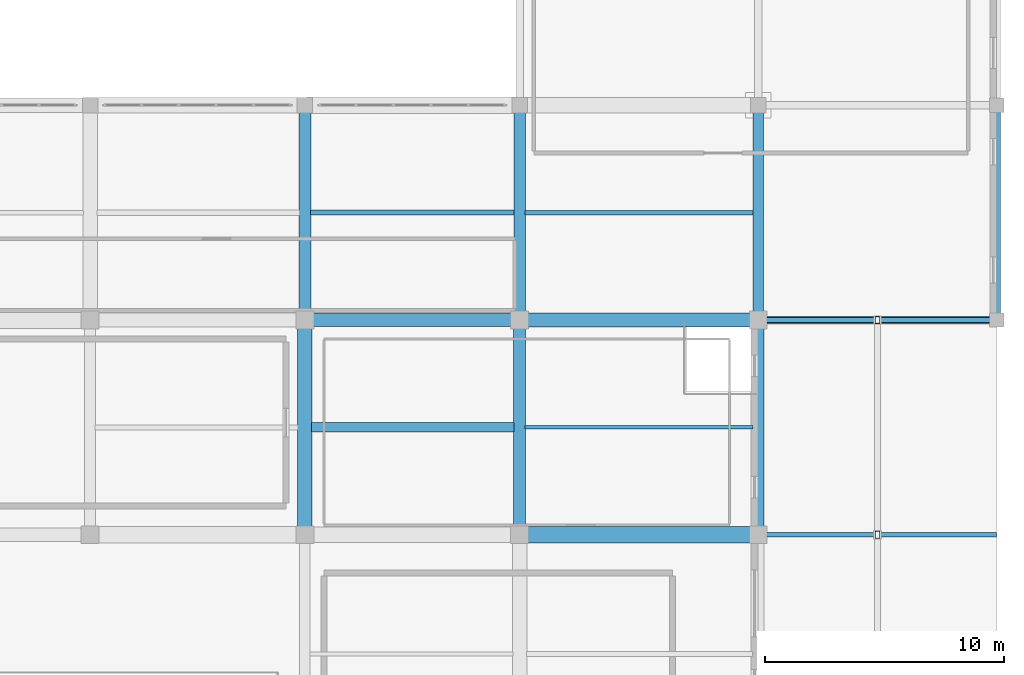
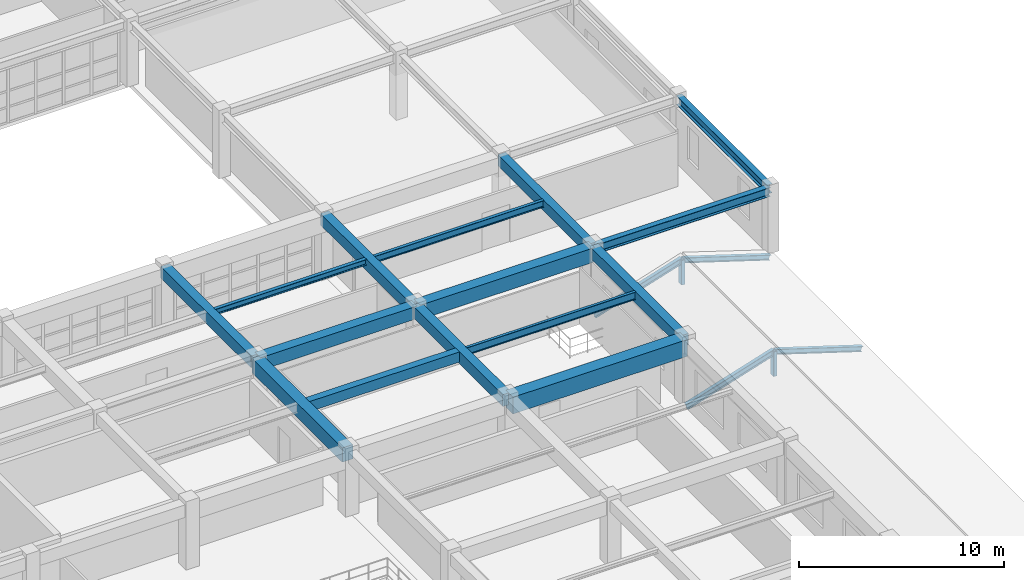
# One storey, part 83 of 130: 15 beams, 6 members.
"""IFC4 building model written with IfcOpenShell, lengths in metres."""

from ifc_helpers import new_model, si_unit, direction, frame, origin, origin_2d, place, context, subcontext, project, spatial, rectangle, hollow_rectangle, i_section, extrude, material, material_profile, profile_set, type_object, element, save


model = new_model("IFC4")

# Units and contexts
model_context = context("Model", 3, precision=1e-05, world=origin(), true_north=direction((0.0, 1.0)))
body_context = subcontext(model_context, "Body", "Model", "MODEL_VIEW")
ifc_project = project(units=[si_unit("LENGTHUNIT", "METRE"), si_unit("AREAUNIT", "SQUARE_METRE"), si_unit("VOLUMEUNIT", "CUBIC_METRE"), si_unit("PLANEANGLEUNIT", "RADIAN"), si_unit("MASSUNIT", "GRAM", prefix="KILO")], contexts=[model_context])

# Site, building, storey
site_placement = place(None, origin())
site = spatial("IfcSite", under=ifc_project, at=site_placement, CompositionType="ELEMENT")
building_placement = place(site_placement, origin())
building = spatial("IfcBuilding", under=site, at=building_placement, Name="Miravela Opera House", CompositionType="ELEMENT")
storey_placement = place(building_placement, frame((0.0, 0.0, 9.52001953125)))
storey = spatial("IfcBuildingStorey", under=building, at=storey_placement, Name="L02", CompositionType="ELEMENT", Elevation=9.52001953125)

# Beams
ifc_material_1 = material(Name="Concrete C35/45", Category="concrete")
ifc_material_profile_1 = material_profile(ifc_material_1, rectangle(XDim=0.39990234375, YDim=0.60009765625, at=origin_2d()), Name="RC-BM-400X600")
ifc_profile_set_1 = profile_set([ifc_material_profile_1])
beam_type_1 = type_object("IfcBeamType", Name="STR-BM-RC400X600", PredefinedType="JOIST", material=ifc_profile_set_1)
beam_1_placement = place(storey_placement, frame((135.284912109375, 70.5, 3.5400390625), z_axis=(1.0, 0.0, 0.0), x_axis=(0.0, 1.0, 0.0)))
element("IfcBeam", 1, at=beam_1_placement, inside=storey, type_object=beam_type_1, Name="Secondary Floor Joist L02 16-17/H-I", PredefinedType="JOIST", context=body_context, shape_type="SweptSolid", body=[
    extrude(rectangle(XDim=0.39990234375, YDim=0.60009765625, at=origin_2d()), origin(), (0.0, 0.0, 1.0), 8.47998046875),
])
ifc_material_profile_2 = material_profile(ifc_material_1, rectangle(XDim=0.449951171875, YDim=0.64990234375, at=origin_2d()), Name="RC-BM-450X650")
ifc_profile_set_2 = profile_set([ifc_material_profile_2])
beam_type_2 = type_object("IfcBeamType", Name="STR-BM-RC450X650", PredefinedType="BEAM", material=ifc_profile_set_2)
beam_2_placement = place(storey_placement, frame((154.0, 75.080078125, 3.514892578125), z_axis=(0.0, 1.0, 0.0), x_axis=(-1.0, 0.0, 0.0)))
element("IfcBeam", 2, at=beam_2_placement, inside=storey, type_object=beam_type_2, Name="Floor Girder L02 18/I-J", PredefinedType="BEAM", context=body_context, shape_type="SweptSolid", body=[
    extrude(rectangle(XDim=0.449951171875, YDim=0.64990234375, at=origin_2d()), origin(), (0.0, 0.0, 1.0), 8.83984375),
])
ifc_material_profile_3 = material_profile(ifc_material_1, rectangle(XDim=0.47998046875, YDim=0.679931640625, at=origin_2d()), Name="RC-BM-480X680")
ifc_profile_set_3 = profile_set([ifc_material_profile_3])
beam_type_3 = type_object("IfcBeamType", Name="STR-BM-RC480X680", PredefinedType="BEAM", material=ifc_profile_set_3)
for number, where, z_axis, x_axis, name in (
    (3, (144.0, 75.080078125, 3.5), (0.0, 1.0, 0.0), (-1.0, 0.0, 0.0), "Floor Girder L02 17/I-J"),
    (4, (154.0, 66.080078125, 3.5), (0.0, 1.0, 0.0), (-1.0, 0.0, 0.0), "Floor Girder L02 18/H-I"),
):
    element("IfcBeam", number, at=place(storey_placement, frame(where, z_axis=z_axis, x_axis=x_axis)), inside=storey, type_object=beam_type_3, Name=name, PredefinedType="BEAM", context=body_context, shape_type="SweptSolid", body=[
        extrude(rectangle(XDim=0.47998046875, YDim=0.679931640625, at=origin_2d()), origin(), (0.0, 0.0, 1.0), 8.83984375),
    ])
ifc_material_profile_4 = material_profile(ifc_material_1, rectangle(XDim=0.5, YDim=0.699951171875, at=origin_2d()), Name="RC-BM-500X700")
ifc_profile_set_4 = profile_set([ifc_material_profile_4])
beam_type_4 = type_object("IfcBeamType", Name="STR-BM-RC500X700", PredefinedType="BEAM", material=ifc_profile_set_4)
for number, where, z_axis, x_axis, name in (
    (5, (135.0, 75.080078125, 3.489990234375), (0.0, 1.0, 0.0), (-1.0, 0.0, 0.0), "Floor Girder L02 16/I-J"),
    (6, (144.0, 66.080078125, 3.489990234375), (0.0, 1.0, 0.0), (-1.0, 0.0, 0.0), "Floor Girder L02 17/H-I"),
):
    element("IfcBeam", number, at=place(storey_placement, frame(where, z_axis=z_axis, x_axis=x_axis)), inside=storey, type_object=beam_type_4, Name=name, PredefinedType="BEAM", context=body_context, shape_type="SweptSolid", body=[
        extrude(rectangle(XDim=0.5, YDim=0.699951171875, at=origin_2d()), origin(), (0.0, 0.0, 1.0), 8.83984375),
    ])
ifc_material_profile_5 = material_profile(ifc_material_1, rectangle(XDim=0.550048828125, YDim=0.75, at=origin_2d()), Name="RC-BM-550X750")
ifc_profile_set_5 = profile_set([ifc_material_profile_5])
beam_type_5 = type_object("IfcBeamType", Name="STR-BM-RC550X750", PredefinedType="BEAM", material=ifc_profile_set_5)
beam_3_placement = place(storey_placement, frame((135.080078125, 75.0, 3.465087890625), z_axis=(1.0, 0.0, 0.0), x_axis=(0.0, 1.0, 0.0)))
element("IfcBeam", 7, at=beam_3_placement, inside=storey, type_object=beam_type_5, Name="Floor Girder L02 16-17/I", PredefinedType="BEAM", context=body_context, shape_type="SweptSolid", body=[
    extrude(rectangle(XDim=0.550048828125, YDim=0.75, at=origin_2d()), origin(), (0.0, 0.0, 1.0), 8.83984375),
])
ifc_material_2 = material(Name="Concrete C40/50", Category="concrete")
ifc_material_profile_6 = material_profile(ifc_material_2, rectangle(XDim=0.60009765625, YDim=0.85009765625, at=origin_2d()), Name="RC-BM-600X850")
ifc_profile_set_6 = profile_set([ifc_material_profile_6])
beam_type_6 = type_object("IfcBeamType", Name="STR-BM-RC600X850", PredefinedType="BEAM", material=ifc_profile_set_6)
beam_4_placement = place(storey_placement, frame((144.080078125, 75.0, 3.4150390625), z_axis=(1.0, 0.0, 0.0), x_axis=(0.0, 1.0, 0.0)))
element("IfcBeam", 8, at=beam_4_placement, inside=storey, type_object=beam_type_6, Name="Floor Girder L02 17-18/I", PredefinedType="BEAM", context=body_context, shape_type="SweptSolid", body=[
    extrude(rectangle(XDim=0.60009765625, YDim=0.85009765625, at=origin_2d()), origin(), (0.0, 0.0, 1.0), 9.83984375),
])
beam_5_placement = place(storey_placement, frame((135.0, 66.080078125, 3.4150390625), z_axis=(0.0, 1.0, 0.0), x_axis=(-1.0, 0.0, 0.0)))
element("IfcBeam", 9, at=beam_5_placement, inside=storey, type_object=beam_type_6, Name="Floor Girder L02 16/H-I", PredefinedType="BEAM", context=body_context, shape_type="SweptSolid", body=[
    extrude(rectangle(XDim=0.60009765625, YDim=0.85009765625, at=origin_2d()), origin(), (0.0, 0.0, 1.0), 8.83984375),
])
ifc_material_profile_7 = material_profile(ifc_material_2, rectangle(XDim=0.699951171875, YDim=1.0, at=origin_2d()), Name="RC-BM-700X1000")
ifc_profile_set_7 = profile_set([ifc_material_profile_7])
beam_type_7 = type_object("IfcBeamType", Name="STR-BM-RC700X1000", PredefinedType="BEAM", material=ifc_profile_set_7)
beam_6_placement = place(storey_placement, frame((144.080078125, 66.0, 3.340087890625), z_axis=(1.0, 0.0, 0.0), x_axis=(0.0, 1.0, 0.0)))
element("IfcBeam", 10, at=beam_6_placement, inside=storey, type_object=beam_type_7, Name="Floor Girder L02 17-18/H", PredefinedType="BEAM", context=body_context, shape_type="SweptSolid", body=[
    extrude(rectangle(XDim=0.699951171875, YDim=1.0, at=origin_2d()), origin(), (0.0, 0.0, 1.0), 9.83984375),
])
ifc_material_3 = material(Name="Structural steel ASTM A992 Gr. 50", Category="steel")
ifc_material_profile_8 = material_profile(ifc_material_3, i_section(OverallWidth=0.2041015625, OverallDepth=0.35009765625, WebThickness=0.008544921875, FlangeThickness=0.01513671875, FilletRadius=0.013916015625, at=origin_2d()), Name="W360X72")
ifc_profile_set_8 = profile_set([ifc_material_profile_8])
beam_type_8 = type_object("IfcBeamType", Name="STR-BM-W360X72", PredefinedType="JOIST", material=ifc_profile_set_8)
beam_7_placement = place(storey_placement, frame((135.235107421875, 79.5, 3.6650390625), z_axis=(1.0, 0.0, 0.0), x_axis=(0.0, 1.0, 0.0)))
element("IfcBeam", 11, at=beam_7_placement, inside=storey, type_object=beam_type_8, Name="Secondary Floor Joist L02 16-17/I-J", PredefinedType="JOIST", context=body_context, shape_type="SweptSolid", body=[
    extrude(i_section(OverallWidth=0.2041015625, OverallDepth=0.35009765625, WebThickness=0.008544921875, FlangeThickness=0.01513671875, FilletRadius=0.013916015625, at=origin_2d()), origin(), (0.0, 0.0, 1.0), 8.539794921875),
])
ifc_material_profile_9 = material_profile(ifc_material_3, i_section(OverallWidth=0.177978515625, OverallDepth=0.406982421875, WebThickness=0.0078125, FlangeThickness=0.0126953125, FilletRadius=0.012939453125, at=origin_2d()), Name="W410X60")
ifc_profile_set_9 = profile_set([ifc_material_profile_9])
beam_type_9 = type_object("IfcBeamType", Name="STR-BM-W410X60", PredefinedType="JOIST", material=ifc_profile_set_9)
beam_8_placement = place(storey_placement, frame((144.22509765625, 79.5, 3.636474609375), z_axis=(1.0, 0.0, 0.0), x_axis=(0.0, 1.0, 0.0)))
element("IfcBeam", 12, at=beam_8_placement, inside=storey, type_object=beam_type_9, Name="Secondary Floor Joist L02 17-18/I-J", PredefinedType="JOIST", context=body_context, shape_type="SweptSolid", body=[
    extrude(i_section(OverallWidth=0.177978515625, OverallDepth=0.406982421875, WebThickness=0.0078125, FlangeThickness=0.0126953125, FilletRadius=0.012939453125, at=origin_2d()), origin(), (0.0, 0.0, 1.0), 9.56494140625),
])
ifc_material_profile_10 = material_profile(ifc_material_3, i_section(OverallWidth=0.154052734375, OverallDepth=0.458984375, WebThickness=0.009033203125, FlangeThickness=0.015380859375, FilletRadius=0.013916015625, at=origin_2d()), Name="W460X68")
ifc_profile_set_10 = profile_set([ifc_material_profile_10])
beam_type_10 = type_object("IfcBeamType", Name="STR-BM-W460X68", PredefinedType="JOIST", material=ifc_profile_set_10)
beam_9_placement = place(storey_placement, frame((144.235107421875, 70.5, 3.610595703125), z_axis=(1.0, 0.0, 0.0), x_axis=(0.0, 1.0, 0.0)))
element("IfcBeam", 13, at=beam_9_placement, inside=storey, type_object=beam_type_10, Name="Secondary Floor Joist L02 17-18/H-I", PredefinedType="JOIST", context=body_context, shape_type="SweptSolid", body=[
    extrude(i_section(OverallWidth=0.154052734375, OverallDepth=0.458984375, WebThickness=0.009033203125, FlangeThickness=0.015380859375, FilletRadius=0.013916015625, at=origin_2d()), origin(), (0.0, 0.0, 1.0), 9.539794921875),
])
ifc_material_profile_11 = material_profile(ifc_material_3, i_section(OverallWidth=0.31201171875, OverallDepth=0.54296875, WebThickness=0.0126953125, FlangeThickness=0.020263671875, FilletRadius=0.01611328125, at=origin_2d()), Name="W530X150")
ifc_profile_set_11 = profile_set([ifc_material_profile_11])
beam_type_11 = type_object("IfcBeamType", Name="STR-BM-W530X150", PredefinedType="BEAM", material=ifc_profile_set_11)
beam_10_placement = place(storey_placement, frame((164.0, 75.080078125, 3.568359375), z_axis=(0.0, 1.0, 0.0), x_axis=(-1.0, 0.0, 0.0)))
element("IfcBeam", 14, at=beam_10_placement, inside=storey, type_object=beam_type_11, Name="Roof Eave Girder ROOF-V3-FAR-E E1", PredefinedType="BEAM", context=body_context, shape_type="SweptSolid", body=[
    extrude(i_section(OverallWidth=0.31201171875, OverallDepth=0.54296875, WebThickness=0.0126953125, FlangeThickness=0.020263671875, FilletRadius=0.01611328125, at=origin_2d()), origin(), (0.0, 0.0, 1.0), 8.83984375),
])
beam_11_placement = place(storey_placement, frame((154.080078125, 75.0, 3.568359375), z_axis=(1.0, 0.0, 0.0), x_axis=(0.0, 1.0, 0.0)))
element("IfcBeam", 15, at=beam_11_placement, inside=storey, type_object=beam_type_11, Name="Roof King-Post Transverse Tie Girder ROOF-V3-FAR-E T0.1", PredefinedType="BEAM", context=body_context, shape_type="SweptSolid", body=[
    extrude(i_section(OverallWidth=0.31201171875, OverallDepth=0.54296875, WebThickness=0.0126953125, FlangeThickness=0.020263671875, FilletRadius=0.01611328125, at=origin_2d()), origin(), (0.0, 0.0, 1.0), 9.83984375),
])

# Members
ifc_material_4 = material(Name="Hollow structural steel ASTM A500 Gr. C", Category="steel")
ifc_material_profile_12 = material_profile(ifc_material_4, hollow_rectangle(XDim=0.199951171875, YDim=0.300048828125, WallThickness=0.011962890625, InnerFilletRadius=0.011962890625, OuterFilletRadius=0.02392578125, at=origin_2d()), Name="HSS300X200X12")
ifc_profile_set_12 = profile_set([ifc_material_profile_12])
member_type_1 = type_object("IfcMemberType", Name="STR-MEM-POST-HSS300X200", PredefinedType="POST", material=ifc_profile_set_12)
for number, where, z_axis, x_axis, name in (
    (16, (159.0, 66.0, -0.25), (0.0, 0.0, 1.0), (1.0, 0.0, 0.0), "Roof Ridge Support Post ROOF-V4-FAR-E M7"),
    (17, (159.0, 75.0, -0.25), (0.0, 0.0, 1.0), (1.0, 0.0, 0.0), "Roof Gable King Post ROOF-V4-FAR-E N"),
):
    element("IfcMember", number, at=place(storey_placement, frame(where, z_axis=z_axis, x_axis=x_axis)), inside=storey, type_object=member_type_1, Name=name, PredefinedType="POST", context=body_context, shape_type="SweptSolid", body=[
        extrude(hollow_rectangle(XDim=0.199951171875, YDim=0.300048828125, WallThickness=0.011962890625, InnerFilletRadius=0.011962890625, OuterFilletRadius=0.02392578125, at=origin_2d()), origin(), (0.0, 0.0, 1.0), 1.469970703125),
    ])
ifc_material_profile_13 = material_profile(ifc_material_3, i_section(OverallWidth=0.2041015625, OverallDepth=0.35009765625, WebThickness=0.008544921875, FlangeThickness=0.01513671875, FilletRadius=0.013916015625, at=origin_2d()), Name="W360X72")
ifc_profile_set_13 = profile_set([ifc_material_profile_13])
member_type_2 = type_object("IfcMemberType", Name="STR-MEM-RAFTER-1", PredefinedType="RAFTER", material=ifc_profile_set_13)
for number, where, z_axis, x_axis, name in (
    (18, (154.050048828125, 66.0, -0.39990234375), (0.953766624153, 0.0, 0.300548210195), (0.0, 1.0, 0.0), "Pitched Roof Rafter ROOF-V4-FAR-E W7"),
    (19, (154.050048828125, 75.0, -0.39990234375), (0.953766624153, 0.0, 0.300548210195), (0.0, 1.0, 0.0), "Pitched Roof Rafter ROOF-V4-FAR-E W8"),
):
    element("IfcMember", number, at=place(storey_placement, frame(where, z_axis=z_axis, x_axis=x_axis)), inside=storey, type_object=member_type_2, Name=name, PredefinedType="RAFTER", context=body_context, shape_type="SweptSolid", body=[
        extrude(i_section(OverallWidth=0.2041015625, OverallDepth=0.35009765625, WebThickness=0.008544921875, FlangeThickness=0.01513671875, FilletRadius=0.013916015625, at=origin_2d()), origin(), (0.0, 0.0, 1.0), 5.18994140625),
    ])
ifc_material_profile_14 = material_profile(ifc_material_3, i_section(OverallWidth=0.202880859375, OverallDepth=0.302978515625, WebThickness=0.007568359375, FlangeThickness=0.01318359375, FilletRadius=0.012939453125, at=origin_2d()), Name="W310X60")
ifc_profile_set_14 = profile_set([ifc_material_profile_14])
member_type_3 = type_object("IfcMemberType", Name="STR-MEM-RAFTER-2", PredefinedType="RAFTER", material=ifc_profile_set_14)
for number, where, z_axis, x_axis, name in (
    (20, (163.949951171875, 66.0, -0.39990234375), (-0.953766624153, 0.0, 0.300548210195), (0.0, -1.0, 0.0), "Pitched Roof Rafter ROOF-V4-FAR-E E7"),
    (21, (163.949951171875, 75.0, -0.39990234375), (-0.953766624153, 0.0, 0.300548210195), (0.0, -1.0, 0.0), "Pitched Roof Rafter ROOF-V4-FAR-E E8"),
):
    element("IfcMember", number, at=place(storey_placement, frame(where, z_axis=z_axis, x_axis=x_axis)), inside=storey, type_object=member_type_3, Name=name, PredefinedType="RAFTER", context=body_context, shape_type="SweptSolid", body=[
        extrude(i_section(OverallWidth=0.202880859375, OverallDepth=0.302978515625, WebThickness=0.007568359375, FlangeThickness=0.01318359375, FilletRadius=0.012939453125, at=origin_2d()), origin(), (0.0, 0.0, 1.0), 5.18994140625),
    ])

save(model, "model.ifc")
